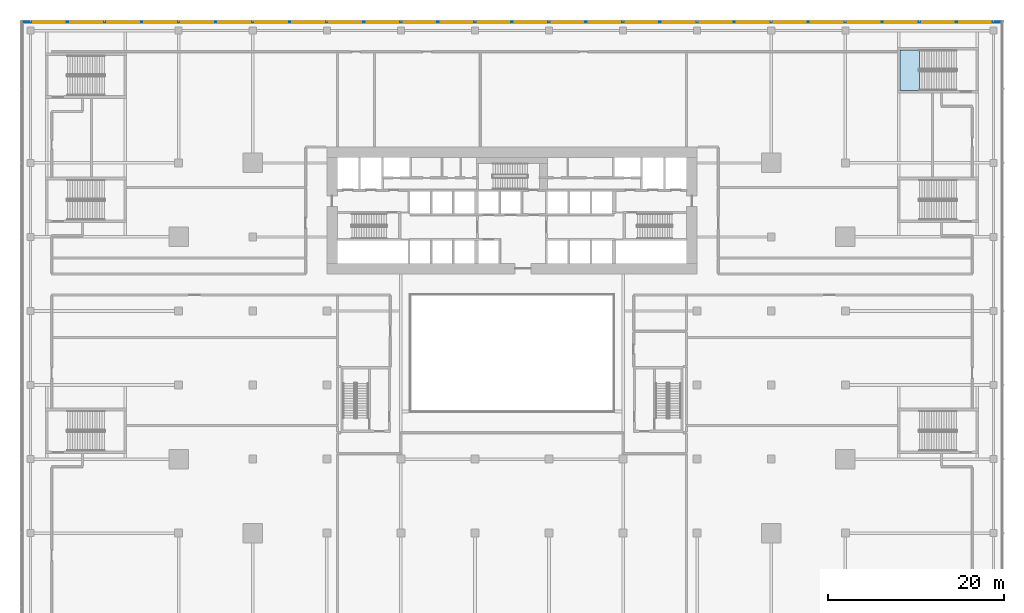
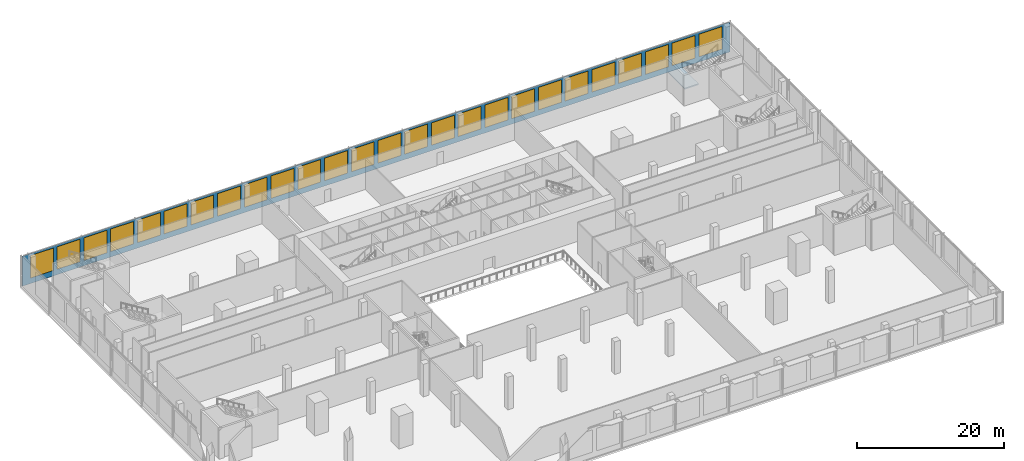
# One storey, part 25 of 39: 26 windows, 1 plate, 1 slab, 26 openings, 2 elements without a shape of their own.
"""IFC4 building model written with IfcOpenShell, lengths in metres."""

import ifcopenshell
import ifcopenshell.guid

model = None  # the IFC model being written
_history = None  # IfcOwnerHistory: only IFC2X3 demands one
_inside = {}  # id of a spatial element -> (the spatial element, [elements in it])
_under = {}  # id of a project, library or spatial element -> (it, [spatial elements below it])
_declared = {}  # id of a project -> (the project, [libraries it declares])
_typed = {}  # id of a type object -> (the type object, [elements of that type])
_made_of = {}  # id of a material, layer set ... -> (it, [elements and type objects made of it])


def new_model(schema):
    """Start an empty IFC model of exactly this schema.

    Asked for "IFC4X3", IfcOpenShell would pick the latest addendum, in which some entities
    have other attributes; the version numbers below select the first issue.
    IFC2X3 requires an IfcOwnerHistory on every rooted entity: one is made here for all.
    """
    global model, _history
    if schema == "IFC4X3":
        model = ifcopenshell.file(schema_version=(4, 3, 0, 0))
    else:
        model = ifcopenshell.file(schema=schema)
    _inside.clear()
    _under.clear()
    _declared.clear()
    _typed.clear()
    _made_of.clear()
    _history = None
    if model.schema == "IFC2X3":
        org = make("IfcOrganization", Name="unknown")
        user = make(
            "IfcPersonAndOrganization",
            ThePerson=make("IfcPerson", FamilyName="unknown"),
            TheOrganization=org,
        )
        app = make(
            "IfcApplication",
            ApplicationDeveloper=org,
            Version="unknown",
            ApplicationFullName="unknown",
            ApplicationIdentifier="unknown",
        )
        _history = make(
            "IfcOwnerHistory",
            OwningUser=user,
            OwningApplication=app,
            ChangeAction="ADDED",
            CreationDate=0,
        )
    return model


def make(cls, **values):
    """One entity of the class cls with the attributes given. An attribute that is None is left unset."""
    return model.create_entity(
        cls, **{name: value for name, value in values.items() if value is not None}
    )


def rooted(cls, **values):
    """An entity with a GlobalId (a new one), such as an element, a storey or a relation."""
    return make(cls, GlobalId=ifcopenshell.guid.new(), OwnerHistory=_history, **values)


def si_unit(unit_type, name, prefix=None):
    """IfcSIUnit, for example si_unit("LENGTHUNIT", "METRE", prefix="MILLI")."""
    return make("IfcSIUnit", UnitType=unit_type, Prefix=prefix, Name=name)


def assignment(units):
    """IfcUnitAssignment: the units of a project."""
    return None if units is None else make("IfcUnitAssignment", Units=units)


def point(xyz):
    """IfcCartesianPoint."""
    return None if xyz is None else make("IfcCartesianPoint", Coordinates=xyz)


def direction(xyz):
    """IfcDirection."""
    return None if xyz is None else make("IfcDirection", DirectionRatios=xyz)


def frame(location, z_axis=None, x_axis=None):
    """IfcAxis2Placement3D, a coordinate frame: its origin and axes. An axis left out is left unset."""
    return make(
        "IfcAxis2Placement3D",
        Location=point(location),
        Axis=direction(z_axis),
        RefDirection=direction(x_axis),
    )


def frame_2d(location, x_axis=None):
    """IfcAxis2Placement2D, a coordinate frame in the plane: its origin and x axis."""
    return make(
        "IfcAxis2Placement2D", Location=point(location), RefDirection=direction(x_axis)
    )


def origin():
    """The frame at (0, 0, 0) with its axes left unset."""
    return frame((0.0, 0.0, 0.0))


def place(relative_to, where):
    """IfcLocalPlacement: puts the frame where relative to a parent placement (None: the world)."""
    return make(
        "IfcLocalPlacement", PlacementRelTo=relative_to, RelativePlacement=where
    )


def context(
    kind, dimensions, precision=None, world=None, true_north=None, identifier=None
):
    """IfcGeometricRepresentationContext, for example the 3D "Model" context."""
    return make(
        "IfcGeometricRepresentationContext",
        ContextIdentifier=identifier,
        ContextType=kind,
        CoordinateSpaceDimension=dimensions,
        Precision=precision,
        WorldCoordinateSystem=world,
        TrueNorth=true_north,
    )


def subcontext(parent, identifier, kind, view, scale=None):
    """IfcGeometricRepresentationSubContext, for example "Body" below "Model"."""
    return make(
        "IfcGeometricRepresentationSubContext",
        ContextIdentifier=identifier,
        ContextType=kind,
        ParentContext=parent,
        TargetScale=scale,
        TargetView=view,
    )


def project(units=None, contexts=None):
    """IfcProject with its units and contexts."""
    return rooted(
        "IfcProject",
        Name="project",
        RepresentationContexts=contexts,
        UnitsInContext=assignment(units),
    )


def spatial(cls, under=None, at=None, **own):
    """A site, building, storey or space (cls), placed at a placement, below another one or the project."""
    s = rooted(cls, ObjectPlacement=at, **own)
    if under is not None:
        _under.setdefault(under.id(), (under, []))[1].append(s)
    return s


def polyline(points):
    """IfcPolyline through the points."""
    return make("IfcPolyline", Points=[point(p) for p in points])


def profile(cls, at=None, kind="AREA", **sizes):
    """A parametric profile (cls). Its sizes go by their IFC names, for example OverallWidth=200.0."""
    return make(cls, ProfileType=kind, Position=at, **sizes)


def rectangle(**sizes):
    """IfcRectangleProfileDef."""
    return profile("IfcRectangleProfileDef", **sizes)


def outline(outer, holes=None, kind="AREA"):
    """IfcArbitraryClosedProfileDef: a profile drawn as a closed curve; with holes, ...WithVoids."""
    if holes is None:
        return make("IfcArbitraryClosedProfileDef", ProfileType=kind, OuterCurve=outer)
    return make(
        "IfcArbitraryProfileDefWithVoids",
        ProfileType=kind,
        OuterCurve=outer,
        InnerCurves=holes,
    )


def extrude(swept, where, along, depth):
    """IfcExtrudedAreaSolid: the profile swept, set in the frame where, extruded along a direction by depth."""
    return make(
        "IfcExtrudedAreaSolid",
        SweptArea=swept,
        Position=where,
        ExtrudedDirection=direction(along),
        Depth=depth,
    )


def shape(context_of_items, identifier, shape_type, items):
    """IfcShapeRepresentation: the items that make up one representation, for example the "Body"."""
    return make(
        "IfcShapeRepresentation",
        ContextOfItems=context_of_items,
        RepresentationIdentifier=identifier,
        RepresentationType=shape_type,
        Items=items,
    )


def material(Name=None, Category=None):
    """IfcMaterial."""
    return make("IfcMaterial", Name=Name, Category=Category)


def layer(
    of_material, thickness, ventilated=None, Name=None, Category=None, Priority=None
):
    """IfcMaterialLayer: one layer of a wall or slab, of a material (None: an air gap)."""
    return make(
        "IfcMaterialLayer",
        Material=of_material,
        LayerThickness=thickness,
        IsVentilated=ventilated,
        Name=Name,
        Category=Category,
        Priority=Priority,
    )


def layer_set(layers, Name=None):
    """IfcMaterialLayerSet."""
    return make("IfcMaterialLayerSet", MaterialLayers=layers, LayerSetName=Name)


def made_of(thing, what):
    """Note that an element or type object is made of a material, layer set ...; save() writes the relation."""
    if what is not None:
        _made_of.setdefault(what.id(), (what, []))[1].append(thing)
    return thing


def type_object(cls, material=None, **own):
    """A type object (cls), such as IfcWallType, which elements share."""
    return made_of(rooted(cls, **own), material)


def element(
    cls,
    number,
    at=None,
    inside=None,
    cuts=None,
    type_object=None,
    material=None,
    context=None,
    identifier="Body",
    shape_type=None,
    held_by="IfcProductDefinitionShape",
    body=None,
    shapes=None,
    **own,
):
    """One element of the class cls, such as IfcWall. Its Tag is "e" and its number.

    at: its placement. inside: the storey or other place that contains it. cuts: it is an
    opening in that element (IfcRelVoidsElement). A single representation is given by context,
    identifier, shape_type and body (its items); several are given by shapes. held_by: the class
    of the entity that holds the representations. save() writes the other relations.
    """
    e = rooted(cls, Tag="e%d" % number, ObjectPlacement=at, **own)
    if body is not None:
        shapes = [shape(context, identifier, shape_type, body)]
    if shapes is not None:
        e.Representation = make(held_by, Representations=shapes)
    if inside is not None:
        _inside.setdefault(inside.id(), (inside, []))[1].append(e)
    if cuts is not None:
        rooted(
            "IfcRelVoidsElement", RelatingBuildingElement=cuts, RelatedOpeningElement=e
        )
    if type_object is not None:
        _typed.setdefault(type_object.id(), (type_object, []))[1].append(e)
    return made_of(e, material)


def fill(opening, filler):
    """IfcRelFillsElement: the door or window that sits in an opening."""
    return rooted(
        "IfcRelFillsElement",
        RelatingOpeningElement=opening,
        RelatedBuildingElement=filler,
    )


def aggregate(whole, parts):
    """IfcRelAggregates: a whole, such as a stair, and the parts it consists of."""
    return rooted("IfcRelAggregates", RelatingObject=whole, RelatedObjects=parts)


def save(model, path):
    """Write the relations noted so far, then the file.

    IfcRelAggregates (storeys below a building ...), IfcRelContainedInSpatialStructure (elements
    in a storey), IfcRelDefinesByType, IfcRelAssociatesMaterial and IfcRelDeclares: one each for
    every whole, place, type object, material and project.
    """
    for whole, parts in _under.values():
        aggregate(whole, parts)
    for where, things in _inside.values():
        rooted(
            "IfcRelContainedInSpatialStructure",
            RelatedElements=things,
            RelatingStructure=where,
        )
    for kind, things in _typed.values():
        rooted("IfcRelDefinesByType", RelatedObjects=things, RelatingType=kind)
    for what, things in _made_of.values():
        rooted("IfcRelAssociatesMaterial", RelatedObjects=things, RelatingMaterial=what)
    for by, libraries in _declared.values():
        rooted("IfcRelDeclares", RelatingContext=by, RelatedDefinitions=libraries)
    model.write(path)


model = new_model("IFC4")

# Units and contexts
model_context = context("Model", 3, precision=1e-05, world=origin(), true_north=direction((0.0, 1.0)))
body_context = subcontext(model_context, "Body", "Model", "MODEL_VIEW")
ifc_project = project(units=[si_unit("LENGTHUNIT", "METRE"), si_unit("AREAUNIT", "SQUARE_METRE"), si_unit("VOLUMEUNIT", "CUBIC_METRE"), si_unit("PLANEANGLEUNIT", "RADIAN"), si_unit("MASSUNIT", "GRAM", prefix="KILO")], contexts=[model_context])

# Site, building, storey
site_placement = place(None, origin())
site = spatial("IfcSite", under=ifc_project, at=site_placement, CompositionType="ELEMENT")
building_placement = place(site_placement, origin())
building = spatial("IfcBuilding", under=site, at=building_placement, Name="Saffron Gate Tower", CompositionType="ELEMENT")
storey_placement = place(building_placement, frame((0.0, 0.0, 9.0)))
storey = spatial("IfcBuildingStorey", under=building, at=storey_placement, Name="L01", CompositionType="ELEMENT", Elevation=9.0)

# Curtain wall, plate, openings, windows
ifc_material_1 = material(Name="Aluminium, bronze anodised", Category="aluminium")
curtain_wall_type = type_object("IfcCurtainWallType", Name="CWS5 curtain wall podium ring base", PredefinedType="NOTDEFINED", material=ifc_material_1)
curtain_wall_placement = place(storey_placement, origin())
curtain_wall = element("IfcCurtainWall", 1, at=curtain_wall_placement, inside=storey, type_object=curtain_wall_type, Name="CWS5 run 3", PredefinedType="NOTDEFINED")
ifc_material_2 = material(Name="Clear low-iron laminated glass", Category="glass")
ifc_layer_1 = layer(ifc_material_2, 0.028076171875)
ifc_layer_set_1 = layer_set([ifc_layer_1], Name="CWS5 fixed glass")
plate_type = type_object("IfcPlateType", Name="CWS5 fixed glass", PredefinedType="CURTAIN_PANEL", material=ifc_layer_set_1)
plate_placement = place(storey_placement, frame((143.172119140625, 89.785888671875, 0.0), z_axis=(0.0, 0.0, 1.0), x_axis=(-1.0, 0.0, 0.0)))
plate = element("IfcPlate", 2, at=plate_placement, type_object=plate_type, Name="CWS5 glass panel", PredefinedType="CURTAIN_PANEL", context=body_context, shape_type="SweptSolid", body=[
    extrude(rectangle(XDim=111.14404296875, YDim=0.028076171875, at=frame_2d((55.572021484375, 0.0))), origin(), (0.0, 0.0, 1.0), 4.97998046875),
])
opening_1_placement = place(plate_placement, frame((1.27197265625, 0.0, 0.89990234375)))
opening_1 = element("IfcOpeningElement", 3, at=opening_1_placement, cuts=plate, Name="Opening W6", PredefinedType="OPENING", context=body_context, shape_type="SweptSolid", body=[
    extrude(rectangle(XDim=3.60009765625, YDim=3.72998046875, at=frame_2d((1.800048828125, 1.864990234375))), frame((0.0, 0.02392578125, 0.0), z_axis=(0.0, -1.0, 0.0), x_axis=(1.0, 0.0, 0.0)), (0.0, 0.0, 1.0), 0.048095703125),
])
opening_2_placement = place(plate_placement, frame((5.471923828125, 0.0, 0.89990234375)))
opening_2 = element("IfcOpeningElement", 4, at=opening_2_placement, cuts=plate, Name="Opening W6", PredefinedType="OPENING", context=body_context, shape_type="SweptSolid", body=[
    extrude(rectangle(XDim=3.60009765625, YDim=3.72998046875, at=frame_2d((1.800048828125, 1.864990234375))), frame((0.0, 0.02392578125, 0.0), z_axis=(0.0, -1.0, 0.0), x_axis=(1.0, 0.0, 0.0)), (0.0, 0.0, 1.0), 0.048095703125),
])
opening_3_placement = place(plate_placement, frame((9.672119140625, 0.0, 0.89990234375)))
opening_3 = element("IfcOpeningElement", 5, at=opening_3_placement, cuts=plate, Name="Opening W6", PredefinedType="OPENING", context=body_context, shape_type="SweptSolid", body=[
    extrude(rectangle(XDim=3.60009765625, YDim=3.72998046875, at=frame_2d((1.800048828125, 1.864990234375))), frame((0.0, 0.02392578125, 0.0), z_axis=(0.0, -1.0, 0.0), x_axis=(1.0, 0.0, 0.0)), (0.0, 0.0, 1.0), 0.048095703125),
])
opening_4_placement = place(plate_placement, frame((13.8720703125, 0.0, 0.89990234375)))
opening_4 = element("IfcOpeningElement", 6, at=opening_4_placement, cuts=plate, Name="Opening W6", PredefinedType="OPENING", context=body_context, shape_type="SweptSolid", body=[
    extrude(rectangle(XDim=3.60009765625, YDim=3.72998046875, at=frame_2d((1.800048828125, 1.864990234375))), frame((0.0, 0.02392578125, 0.0), z_axis=(0.0, -1.0, 0.0), x_axis=(1.0, 0.0, 0.0)), (0.0, 0.0, 1.0), 0.048095703125),
])
opening_5_placement = place(plate_placement, frame((18.072021484375, 0.0, 0.89990234375)))
opening_5 = element("IfcOpeningElement", 7, at=opening_5_placement, cuts=plate, Name="Opening W6", PredefinedType="OPENING", context=body_context, shape_type="SweptSolid", body=[
    extrude(rectangle(XDim=3.60009765625, YDim=3.72998046875, at=frame_2d((1.800048828125, 1.864990234375))), frame((0.0, 0.02392578125, 0.0), z_axis=(0.0, -1.0, 0.0), x_axis=(1.0, 0.0, 0.0)), (0.0, 0.0, 1.0), 0.048095703125),
])
opening_6_placement = place(plate_placement, frame((22.27197265625, 0.0, 0.89990234375)))
opening_6 = element("IfcOpeningElement", 8, at=opening_6_placement, cuts=plate, Name="Opening W6", PredefinedType="OPENING", context=body_context, shape_type="SweptSolid", body=[
    extrude(rectangle(XDim=3.60009765625, YDim=3.72998046875, at=frame_2d((1.800048828125, 1.864990234375))), frame((0.0, 0.02392578125, 0.0), z_axis=(0.0, -1.0, 0.0), x_axis=(1.0, 0.0, 0.0)), (0.0, 0.0, 1.0), 0.048095703125),
])
opening_7_placement = place(plate_placement, frame((26.471923828125, 0.0, 0.89990234375)))
opening_7 = element("IfcOpeningElement", 9, at=opening_7_placement, cuts=plate, Name="Opening W6", PredefinedType="OPENING", context=body_context, shape_type="SweptSolid", body=[
    extrude(rectangle(XDim=3.60009765625, YDim=3.72998046875, at=frame_2d((1.800048828125, 1.864990234375))), frame((0.0, 0.02392578125, 0.0), z_axis=(0.0, -1.0, 0.0), x_axis=(1.0, 0.0, 0.0)), (0.0, 0.0, 1.0), 0.048095703125),
])
opening_8_placement = place(plate_placement, frame((30.672119140625, 0.0, 0.89990234375)))
opening_8 = element("IfcOpeningElement", 10, at=opening_8_placement, cuts=plate, Name="Opening W6", PredefinedType="OPENING", context=body_context, shape_type="SweptSolid", body=[
    extrude(rectangle(XDim=3.60009765625, YDim=3.72998046875, at=frame_2d((1.800048828125, 1.864990234375))), frame((0.0, 0.02392578125, 0.0), z_axis=(0.0, -1.0, 0.0), x_axis=(1.0, 0.0, 0.0)), (0.0, 0.0, 1.0), 0.048095703125),
])
opening_9_placement = place(plate_placement, frame((34.8720703125, 0.0, 0.89990234375)))
opening_9 = element("IfcOpeningElement", 11, at=opening_9_placement, cuts=plate, Name="Opening W6", PredefinedType="OPENING", context=body_context, shape_type="SweptSolid", body=[
    extrude(rectangle(XDim=3.60009765625, YDim=3.72998046875, at=frame_2d((1.800048828125, 1.864990234375))), frame((0.0, 0.02392578125, 0.0), z_axis=(0.0, -1.0, 0.0), x_axis=(1.0, 0.0, 0.0)), (0.0, 0.0, 1.0), 0.048095703125),
])
opening_10_placement = place(plate_placement, frame((39.072021484375, 0.0, 0.89990234375)))
opening_10 = element("IfcOpeningElement", 12, at=opening_10_placement, cuts=plate, Name="Opening W6", PredefinedType="OPENING", context=body_context, shape_type="SweptSolid", body=[
    extrude(rectangle(XDim=3.60009765625, YDim=3.72998046875, at=frame_2d((1.800048828125, 1.864990234375))), frame((0.0, 0.02392578125, 0.0), z_axis=(0.0, -1.0, 0.0), x_axis=(1.0, 0.0, 0.0)), (0.0, 0.0, 1.0), 0.048095703125),
])
opening_11_placement = place(plate_placement, frame((43.27197265625, 0.0, 0.89990234375)))
opening_11 = element("IfcOpeningElement", 13, at=opening_11_placement, cuts=plate, Name="Opening W6", PredefinedType="OPENING", context=body_context, shape_type="SweptSolid", body=[
    extrude(rectangle(XDim=3.60009765625, YDim=3.72998046875, at=frame_2d((1.800048828125, 1.864990234375))), frame((0.0, 0.02392578125, 0.0), z_axis=(0.0, -1.0, 0.0), x_axis=(1.0, 0.0, 0.0)), (0.0, 0.0, 1.0), 0.048095703125),
])
opening_12_placement = place(plate_placement, frame((47.471923828125, 0.0, 0.89990234375)))
opening_12 = element("IfcOpeningElement", 14, at=opening_12_placement, cuts=plate, Name="Opening W6", PredefinedType="OPENING", context=body_context, shape_type="SweptSolid", body=[
    extrude(rectangle(XDim=3.60009765625, YDim=3.72998046875, at=frame_2d((1.800048828125, 1.864990234375))), frame((0.0, 0.02392578125, 0.0), z_axis=(0.0, -1.0, 0.0), x_axis=(1.0, 0.0, 0.0)), (0.0, 0.0, 1.0), 0.048095703125),
])
opening_13_placement = place(plate_placement, frame((51.672119140625, 0.0, 0.89990234375)))
opening_13 = element("IfcOpeningElement", 15, at=opening_13_placement, cuts=plate, Name="Opening W6", PredefinedType="OPENING", context=body_context, shape_type="SweptSolid", body=[
    extrude(rectangle(XDim=3.60009765625, YDim=3.72998046875, at=frame_2d((1.800048828125, 1.864990234375))), frame((0.0, 0.02392578125, 0.0), z_axis=(0.0, -1.0, 0.0), x_axis=(1.0, 0.0, 0.0)), (0.0, 0.0, 1.0), 0.048095703125),
])
opening_14_placement = place(plate_placement, frame((55.8720703125, 0.0, 0.89990234375)))
opening_14 = element("IfcOpeningElement", 16, at=opening_14_placement, cuts=plate, Name="Opening W6", PredefinedType="OPENING", context=body_context, shape_type="SweptSolid", body=[
    extrude(rectangle(XDim=3.60009765625, YDim=3.72998046875, at=frame_2d((1.800048828125, 1.864990234375))), frame((0.0, 0.02392578125, 0.0), z_axis=(0.0, -1.0, 0.0), x_axis=(1.0, 0.0, 0.0)), (0.0, 0.0, 1.0), 0.048095703125),
])
opening_15_placement = place(plate_placement, frame((60.072021484375, 0.0, 0.89990234375)))
opening_15 = element("IfcOpeningElement", 17, at=opening_15_placement, cuts=plate, Name="Opening W6", PredefinedType="OPENING", context=body_context, shape_type="SweptSolid", body=[
    extrude(rectangle(XDim=3.60009765625, YDim=3.72998046875, at=frame_2d((1.800048828125, 1.864990234375))), frame((0.0, 0.02392578125, 0.0), z_axis=(0.0, -1.0, 0.0), x_axis=(1.0, 0.0, 0.0)), (0.0, 0.0, 1.0), 0.048095703125),
])
opening_16_placement = place(plate_placement, frame((64.27197265625, 0.0, 0.89990234375)))
opening_16 = element("IfcOpeningElement", 18, at=opening_16_placement, cuts=plate, Name="Opening W6", PredefinedType="OPENING", context=body_context, shape_type="SweptSolid", body=[
    extrude(rectangle(XDim=3.60009765625, YDim=3.72998046875, at=frame_2d((1.800048828125, 1.864990234375))), frame((0.0, 0.02392578125, 0.0), z_axis=(0.0, -1.0, 0.0), x_axis=(1.0, 0.0, 0.0)), (0.0, 0.0, 1.0), 0.048095703125),
])
opening_17_placement = place(plate_placement, frame((68.471923828125, 0.0, 0.89990234375)))
opening_17 = element("IfcOpeningElement", 19, at=opening_17_placement, cuts=plate, Name="Opening W6", PredefinedType="OPENING", context=body_context, shape_type="SweptSolid", body=[
    extrude(rectangle(XDim=3.60009765625, YDim=3.72998046875, at=frame_2d((1.800048828125, 1.864990234375))), frame((0.0, 0.02392578125, 0.0), z_axis=(0.0, -1.0, 0.0), x_axis=(1.0, 0.0, 0.0)), (0.0, 0.0, 1.0), 0.048095703125),
])
opening_18_placement = place(plate_placement, frame((72.672119140625, 0.0, 0.89990234375)))
opening_18 = element("IfcOpeningElement", 20, at=opening_18_placement, cuts=plate, Name="Opening W6", PredefinedType="OPENING", context=body_context, shape_type="SweptSolid", body=[
    extrude(rectangle(XDim=3.60009765625, YDim=3.72998046875, at=frame_2d((1.800048828125, 1.864990234375))), frame((0.0, 0.02392578125, 0.0), z_axis=(0.0, -1.0, 0.0), x_axis=(1.0, 0.0, 0.0)), (0.0, 0.0, 1.0), 0.048095703125),
])
opening_19_placement = place(plate_placement, frame((76.8720703125, 0.0, 0.89990234375)))
opening_19 = element("IfcOpeningElement", 21, at=opening_19_placement, cuts=plate, Name="Opening W6", PredefinedType="OPENING", context=body_context, shape_type="SweptSolid", body=[
    extrude(rectangle(XDim=3.60009765625, YDim=3.72998046875, at=frame_2d((1.800048828125, 1.864990234375))), frame((0.0, 0.02392578125, 0.0), z_axis=(0.0, -1.0, 0.0), x_axis=(1.0, 0.0, 0.0)), (0.0, 0.0, 1.0), 0.048095703125),
])
opening_20_placement = place(plate_placement, frame((81.072021484375, 0.0, 0.89990234375)))
opening_20 = element("IfcOpeningElement", 22, at=opening_20_placement, cuts=plate, Name="Opening W6", PredefinedType="OPENING", context=body_context, shape_type="SweptSolid", body=[
    extrude(rectangle(XDim=3.60009765625, YDim=3.72998046875, at=frame_2d((1.800048828125, 1.864990234375))), frame((0.0, 0.02392578125, 0.0), z_axis=(0.0, -1.0, 0.0), x_axis=(1.0, 0.0, 0.0)), (0.0, 0.0, 1.0), 0.048095703125),
])
opening_21_placement = place(plate_placement, frame((85.27197265625, 0.0, 0.89990234375)))
opening_21 = element("IfcOpeningElement", 23, at=opening_21_placement, cuts=plate, Name="Opening W6", PredefinedType="OPENING", context=body_context, shape_type="SweptSolid", body=[
    extrude(rectangle(XDim=3.60009765625, YDim=3.72998046875, at=frame_2d((1.800048828125, 1.864990234375))), frame((0.0, 0.02392578125, 0.0), z_axis=(0.0, -1.0, 0.0), x_axis=(1.0, 0.0, 0.0)), (0.0, 0.0, 1.0), 0.048095703125),
])
opening_22_placement = place(plate_placement, frame((89.471923828125, 0.0, 0.89990234375)))
opening_22 = element("IfcOpeningElement", 24, at=opening_22_placement, cuts=plate, Name="Opening W6", PredefinedType="OPENING", context=body_context, shape_type="SweptSolid", body=[
    extrude(rectangle(XDim=3.60009765625, YDim=3.72998046875, at=frame_2d((1.800048828125, 1.864990234375))), frame((0.0, 0.02392578125, 0.0), z_axis=(0.0, -1.0, 0.0), x_axis=(1.0, 0.0, 0.0)), (0.0, 0.0, 1.0), 0.048095703125),
])
opening_23_placement = place(plate_placement, frame((93.672119140625, 0.0, 0.89990234375)))
opening_23 = element("IfcOpeningElement", 25, at=opening_23_placement, cuts=plate, Name="Opening W6", PredefinedType="OPENING", context=body_context, shape_type="SweptSolid", body=[
    extrude(rectangle(XDim=3.60009765625, YDim=3.72998046875, at=frame_2d((1.800048828125, 1.864990234375))), frame((0.0, 0.02392578125, 0.0), z_axis=(0.0, -1.0, 0.0), x_axis=(1.0, 0.0, 0.0)), (0.0, 0.0, 1.0), 0.048095703125),
])
opening_24_placement = place(plate_placement, frame((97.8720703125, 0.0, 0.89990234375)))
opening_24 = element("IfcOpeningElement", 26, at=opening_24_placement, cuts=plate, Name="Opening W6", PredefinedType="OPENING", context=body_context, shape_type="SweptSolid", body=[
    extrude(rectangle(XDim=3.60009765625, YDim=3.72998046875, at=frame_2d((1.800048828125, 1.864990234375))), frame((0.0, 0.02392578125, 0.0), z_axis=(0.0, -1.0, 0.0), x_axis=(1.0, 0.0, 0.0)), (0.0, 0.0, 1.0), 0.048095703125),
])
opening_25_placement = place(plate_placement, frame((102.072021484375, 0.0, 0.89990234375)))
opening_25 = element("IfcOpeningElement", 27, at=opening_25_placement, cuts=plate, Name="Opening W6", PredefinedType="OPENING", context=body_context, shape_type="SweptSolid", body=[
    extrude(rectangle(XDim=3.60009765625, YDim=3.72998046875, at=frame_2d((1.800048828125, 1.864990234375))), frame((0.0, 0.02392578125, 0.0), z_axis=(0.0, -1.0, 0.0), x_axis=(1.0, 0.0, 0.0)), (0.0, 0.0, 1.0), 0.048095703125),
])
opening_26_placement = place(plate_placement, frame((106.27197265625, 0.0, 0.89990234375)))
opening_26 = element("IfcOpeningElement", 28, at=opening_26_placement, cuts=plate, Name="Opening W6", PredefinedType="OPENING", context=body_context, shape_type="SweptSolid", body=[
    extrude(rectangle(XDim=3.60009765625, YDim=3.72998046875, at=frame_2d((1.800048828125, 1.864990234375))), frame((0.0, 0.02392578125, 0.0), z_axis=(0.0, -1.0, 0.0), x_axis=(1.0, 0.0, 0.0)), (0.0, 0.0, 1.0), 0.048095703125),
])
ifc_material_3 = material(Name="Fritted bronze-tinted laminated glass in bronze frame", Category="glass")
ifc_layer_2 = layer(ifc_material_3, 0.06005859375)
ifc_layer_set_2 = layer_set([ifc_layer_2], Name="W6 operable panel 3600x3730")
window_type = type_object("IfcWindowType", Name="W6 operable panel 3600x3730", PartitioningType="DOUBLE_PANEL_HORIZONTAL", PredefinedType="WINDOW", material=ifc_layer_set_2)
window_1_placement = place(opening_1_placement, origin())
window_1 = element("IfcWindow", 29, at=window_1_placement, type_object=window_type, Name="W6 operable panel", OverallHeight=3.72998046875, OverallWidth=3.60009765625, PartitioningType="SINGLE_PANEL", PredefinedType="WINDOW", context=body_context, shape_type="SweptSolid", body=[
    extrude(rectangle(XDim=3.60009765625, YDim=3.72998046875, at=frame_2d((1.800048828125, 1.864990234375))), frame((0.0, 0.013671875, 0.0), z_axis=(0.0, -1.0, 0.0), x_axis=(1.0, 0.0, 0.0)), (0.0, 0.0, 1.0), 0.027587890625),
])
fill(opening_1, window_1)
window_2_placement = place(opening_2_placement, origin())
window_2 = element("IfcWindow", 30, at=window_2_placement, type_object=window_type, Name="W6 operable panel", OverallHeight=3.72998046875, OverallWidth=3.60009765625, PartitioningType="SINGLE_PANEL", PredefinedType="WINDOW", context=body_context, shape_type="SweptSolid", body=[
    extrude(rectangle(XDim=3.60009765625, YDim=3.72998046875, at=frame_2d((1.800048828125, 1.864990234375))), frame((0.0, 0.013671875, 0.0), z_axis=(0.0, -1.0, 0.0), x_axis=(1.0, 0.0, 0.0)), (0.0, 0.0, 1.0), 0.027587890625),
])
fill(opening_2, window_2)
window_3_placement = place(opening_3_placement, origin())
window_3 = element("IfcWindow", 31, at=window_3_placement, type_object=window_type, Name="W6 operable panel", OverallHeight=3.72998046875, OverallWidth=3.60009765625, PartitioningType="SINGLE_PANEL", PredefinedType="WINDOW", context=body_context, shape_type="SweptSolid", body=[
    extrude(rectangle(XDim=3.60009765625, YDim=3.72998046875, at=frame_2d((1.800048828125, 1.864990234375))), frame((0.0, 0.013671875, 0.0), z_axis=(0.0, -1.0, 0.0), x_axis=(1.0, 0.0, 0.0)), (0.0, 0.0, 1.0), 0.027587890625),
])
fill(opening_3, window_3)
window_4_placement = place(opening_4_placement, origin())
window_4 = element("IfcWindow", 32, at=window_4_placement, type_object=window_type, Name="W6 operable panel", OverallHeight=3.72998046875, OverallWidth=3.60009765625, PartitioningType="SINGLE_PANEL", PredefinedType="WINDOW", context=body_context, shape_type="SweptSolid", body=[
    extrude(rectangle(XDim=3.60009765625, YDim=3.72998046875, at=frame_2d((1.800048828125, 1.864990234375))), frame((0.0, 0.013671875, 0.0), z_axis=(0.0, -1.0, 0.0), x_axis=(1.0, 0.0, 0.0)), (0.0, 0.0, 1.0), 0.027587890625),
])
fill(opening_4, window_4)
window_5_placement = place(opening_5_placement, origin())
window_5 = element("IfcWindow", 33, at=window_5_placement, type_object=window_type, Name="W6 operable panel", OverallHeight=3.72998046875, OverallWidth=3.60009765625, PartitioningType="SINGLE_PANEL", PredefinedType="WINDOW", context=body_context, shape_type="SweptSolid", body=[
    extrude(rectangle(XDim=3.60009765625, YDim=3.72998046875, at=frame_2d((1.800048828125, 1.864990234375))), frame((0.0, 0.013671875, 0.0), z_axis=(0.0, -1.0, 0.0), x_axis=(1.0, 0.0, 0.0)), (0.0, 0.0, 1.0), 0.027587890625),
])
fill(opening_5, window_5)
window_6_placement = place(opening_6_placement, origin())
window_6 = element("IfcWindow", 34, at=window_6_placement, type_object=window_type, Name="W6 operable panel", OverallHeight=3.72998046875, OverallWidth=3.60009765625, PartitioningType="SINGLE_PANEL", PredefinedType="WINDOW", context=body_context, shape_type="SweptSolid", body=[
    extrude(rectangle(XDim=3.60009765625, YDim=3.72998046875, at=frame_2d((1.800048828125, 1.864990234375))), frame((0.0, 0.013671875, 0.0), z_axis=(0.0, -1.0, 0.0), x_axis=(1.0, 0.0, 0.0)), (0.0, 0.0, 1.0), 0.027587890625),
])
fill(opening_6, window_6)
window_7_placement = place(opening_7_placement, origin())
window_7 = element("IfcWindow", 35, at=window_7_placement, type_object=window_type, Name="W6 operable panel", OverallHeight=3.72998046875, OverallWidth=3.60009765625, PartitioningType="SINGLE_PANEL", PredefinedType="WINDOW", context=body_context, shape_type="SweptSolid", body=[
    extrude(rectangle(XDim=3.60009765625, YDim=3.72998046875, at=frame_2d((1.800048828125, 1.864990234375))), frame((0.0, 0.013671875, 0.0), z_axis=(0.0, -1.0, 0.0), x_axis=(1.0, 0.0, 0.0)), (0.0, 0.0, 1.0), 0.027587890625),
])
fill(opening_7, window_7)
window_8_placement = place(opening_8_placement, origin())
window_8 = element("IfcWindow", 36, at=window_8_placement, type_object=window_type, Name="W6 operable panel", OverallHeight=3.72998046875, OverallWidth=3.60009765625, PartitioningType="SINGLE_PANEL", PredefinedType="WINDOW", context=body_context, shape_type="SweptSolid", body=[
    extrude(rectangle(XDim=3.60009765625, YDim=3.72998046875, at=frame_2d((1.800048828125, 1.864990234375))), frame((0.0, 0.013671875, 0.0), z_axis=(0.0, -1.0, 0.0), x_axis=(1.0, 0.0, 0.0)), (0.0, 0.0, 1.0), 0.027587890625),
])
fill(opening_8, window_8)
window_9_placement = place(opening_9_placement, origin())
window_9 = element("IfcWindow", 37, at=window_9_placement, type_object=window_type, Name="W6 operable panel", OverallHeight=3.72998046875, OverallWidth=3.60009765625, PartitioningType="SINGLE_PANEL", PredefinedType="WINDOW", context=body_context, shape_type="SweptSolid", body=[
    extrude(rectangle(XDim=3.60009765625, YDim=3.72998046875, at=frame_2d((1.800048828125, 1.864990234375))), frame((0.0, 0.013671875, 0.0), z_axis=(0.0, -1.0, 0.0), x_axis=(1.0, 0.0, 0.0)), (0.0, 0.0, 1.0), 0.027587890625),
])
fill(opening_9, window_9)
window_10_placement = place(opening_10_placement, origin())
window_10 = element("IfcWindow", 38, at=window_10_placement, type_object=window_type, Name="W6 operable panel", OverallHeight=3.72998046875, OverallWidth=3.60009765625, PartitioningType="SINGLE_PANEL", PredefinedType="WINDOW", context=body_context, shape_type="SweptSolid", body=[
    extrude(rectangle(XDim=3.60009765625, YDim=3.72998046875, at=frame_2d((1.800048828125, 1.864990234375))), frame((0.0, 0.013671875, 0.0), z_axis=(0.0, -1.0, 0.0), x_axis=(1.0, 0.0, 0.0)), (0.0, 0.0, 1.0), 0.027587890625),
])
fill(opening_10, window_10)
window_11_placement = place(opening_11_placement, origin())
window_11 = element("IfcWindow", 39, at=window_11_placement, type_object=window_type, Name="W6 operable panel", OverallHeight=3.72998046875, OverallWidth=3.60009765625, PartitioningType="SINGLE_PANEL", PredefinedType="WINDOW", context=body_context, shape_type="SweptSolid", body=[
    extrude(rectangle(XDim=3.60009765625, YDim=3.72998046875, at=frame_2d((1.800048828125, 1.864990234375))), frame((0.0, 0.013671875, 0.0), z_axis=(0.0, -1.0, 0.0), x_axis=(1.0, 0.0, 0.0)), (0.0, 0.0, 1.0), 0.027587890625),
])
fill(opening_11, window_11)
window_12_placement = place(opening_12_placement, origin())
window_12 = element("IfcWindow", 40, at=window_12_placement, type_object=window_type, Name="W6 operable panel", OverallHeight=3.72998046875, OverallWidth=3.60009765625, PartitioningType="SINGLE_PANEL", PredefinedType="WINDOW", context=body_context, shape_type="SweptSolid", body=[
    extrude(rectangle(XDim=3.60009765625, YDim=3.72998046875, at=frame_2d((1.800048828125, 1.864990234375))), frame((0.0, 0.013671875, 0.0), z_axis=(0.0, -1.0, 0.0), x_axis=(1.0, 0.0, 0.0)), (0.0, 0.0, 1.0), 0.027587890625),
])
fill(opening_12, window_12)
window_13_placement = place(opening_13_placement, origin())
window_13 = element("IfcWindow", 41, at=window_13_placement, type_object=window_type, Name="W6 operable panel", OverallHeight=3.72998046875, OverallWidth=3.60009765625, PartitioningType="SINGLE_PANEL", PredefinedType="WINDOW", context=body_context, shape_type="SweptSolid", body=[
    extrude(rectangle(XDim=3.60009765625, YDim=3.72998046875, at=frame_2d((1.800048828125, 1.864990234375))), frame((0.0, 0.013671875, 0.0), z_axis=(0.0, -1.0, 0.0), x_axis=(1.0, 0.0, 0.0)), (0.0, 0.0, 1.0), 0.027587890625),
])
fill(opening_13, window_13)
window_14_placement = place(opening_14_placement, origin())
window_14 = element("IfcWindow", 42, at=window_14_placement, type_object=window_type, Name="W6 operable panel", OverallHeight=3.72998046875, OverallWidth=3.60009765625, PartitioningType="SINGLE_PANEL", PredefinedType="WINDOW", context=body_context, shape_type="SweptSolid", body=[
    extrude(rectangle(XDim=3.60009765625, YDim=3.72998046875, at=frame_2d((1.800048828125, 1.864990234375))), frame((0.0, 0.013671875, 0.0), z_axis=(0.0, -1.0, 0.0), x_axis=(1.0, 0.0, 0.0)), (0.0, 0.0, 1.0), 0.027587890625),
])
fill(opening_14, window_14)
window_15_placement = place(opening_15_placement, origin())
window_15 = element("IfcWindow", 43, at=window_15_placement, type_object=window_type, Name="W6 operable panel", OverallHeight=3.72998046875, OverallWidth=3.60009765625, PartitioningType="SINGLE_PANEL", PredefinedType="WINDOW", context=body_context, shape_type="SweptSolid", body=[
    extrude(rectangle(XDim=3.60009765625, YDim=3.72998046875, at=frame_2d((1.800048828125, 1.864990234375))), frame((0.0, 0.013671875, 0.0), z_axis=(0.0, -1.0, 0.0), x_axis=(1.0, 0.0, 0.0)), (0.0, 0.0, 1.0), 0.027587890625),
])
fill(opening_15, window_15)
window_16_placement = place(opening_16_placement, origin())
window_16 = element("IfcWindow", 44, at=window_16_placement, type_object=window_type, Name="W6 operable panel", OverallHeight=3.72998046875, OverallWidth=3.60009765625, PartitioningType="SINGLE_PANEL", PredefinedType="WINDOW", context=body_context, shape_type="SweptSolid", body=[
    extrude(rectangle(XDim=3.60009765625, YDim=3.72998046875, at=frame_2d((1.800048828125, 1.864990234375))), frame((0.0, 0.013671875, 0.0), z_axis=(0.0, -1.0, 0.0), x_axis=(1.0, 0.0, 0.0)), (0.0, 0.0, 1.0), 0.027587890625),
])
fill(opening_16, window_16)
window_17_placement = place(opening_17_placement, origin())
window_17 = element("IfcWindow", 45, at=window_17_placement, type_object=window_type, Name="W6 operable panel", OverallHeight=3.72998046875, OverallWidth=3.60009765625, PartitioningType="SINGLE_PANEL", PredefinedType="WINDOW", context=body_context, shape_type="SweptSolid", body=[
    extrude(rectangle(XDim=3.60009765625, YDim=3.72998046875, at=frame_2d((1.800048828125, 1.864990234375))), frame((0.0, 0.013671875, 0.0), z_axis=(0.0, -1.0, 0.0), x_axis=(1.0, 0.0, 0.0)), (0.0, 0.0, 1.0), 0.027587890625),
])
fill(opening_17, window_17)
window_18_placement = place(opening_18_placement, origin())
window_18 = element("IfcWindow", 46, at=window_18_placement, type_object=window_type, Name="W6 operable panel", OverallHeight=3.72998046875, OverallWidth=3.60009765625, PartitioningType="SINGLE_PANEL", PredefinedType="WINDOW", context=body_context, shape_type="SweptSolid", body=[
    extrude(rectangle(XDim=3.60009765625, YDim=3.72998046875, at=frame_2d((1.800048828125, 1.864990234375))), frame((0.0, 0.013671875, 0.0), z_axis=(0.0, -1.0, 0.0), x_axis=(1.0, 0.0, 0.0)), (0.0, 0.0, 1.0), 0.027587890625),
])
fill(opening_18, window_18)
window_19_placement = place(opening_19_placement, origin())
window_19 = element("IfcWindow", 47, at=window_19_placement, type_object=window_type, Name="W6 operable panel", OverallHeight=3.72998046875, OverallWidth=3.60009765625, PartitioningType="SINGLE_PANEL", PredefinedType="WINDOW", context=body_context, shape_type="SweptSolid", body=[
    extrude(rectangle(XDim=3.60009765625, YDim=3.72998046875, at=frame_2d((1.800048828125, 1.864990234375))), frame((0.0, 0.013671875, 0.0), z_axis=(0.0, -1.0, 0.0), x_axis=(1.0, 0.0, 0.0)), (0.0, 0.0, 1.0), 0.027587890625),
])
fill(opening_19, window_19)
window_20_placement = place(opening_20_placement, origin())
window_20 = element("IfcWindow", 48, at=window_20_placement, type_object=window_type, Name="W6 operable panel", OverallHeight=3.72998046875, OverallWidth=3.60009765625, PartitioningType="SINGLE_PANEL", PredefinedType="WINDOW", context=body_context, shape_type="SweptSolid", body=[
    extrude(rectangle(XDim=3.60009765625, YDim=3.72998046875, at=frame_2d((1.800048828125, 1.864990234375))), frame((0.0, 0.013671875, 0.0), z_axis=(0.0, -1.0, 0.0), x_axis=(1.0, 0.0, 0.0)), (0.0, 0.0, 1.0), 0.027587890625),
])
fill(opening_20, window_20)
window_21_placement = place(opening_21_placement, origin())
window_21 = element("IfcWindow", 49, at=window_21_placement, type_object=window_type, Name="W6 operable panel", OverallHeight=3.72998046875, OverallWidth=3.60009765625, PartitioningType="SINGLE_PANEL", PredefinedType="WINDOW", context=body_context, shape_type="SweptSolid", body=[
    extrude(rectangle(XDim=3.60009765625, YDim=3.72998046875, at=frame_2d((1.800048828125, 1.864990234375))), frame((0.0, 0.013671875, 0.0), z_axis=(0.0, -1.0, 0.0), x_axis=(1.0, 0.0, 0.0)), (0.0, 0.0, 1.0), 0.027587890625),
])
fill(opening_21, window_21)
window_22_placement = place(opening_22_placement, origin())
window_22 = element("IfcWindow", 50, at=window_22_placement, type_object=window_type, Name="W6 operable panel", OverallHeight=3.72998046875, OverallWidth=3.60009765625, PartitioningType="SINGLE_PANEL", PredefinedType="WINDOW", context=body_context, shape_type="SweptSolid", body=[
    extrude(rectangle(XDim=3.60009765625, YDim=3.72998046875, at=frame_2d((1.800048828125, 1.864990234375))), frame((0.0, 0.013671875, 0.0), z_axis=(0.0, -1.0, 0.0), x_axis=(1.0, 0.0, 0.0)), (0.0, 0.0, 1.0), 0.027587890625),
])
fill(opening_22, window_22)
window_23_placement = place(opening_23_placement, origin())
window_23 = element("IfcWindow", 51, at=window_23_placement, type_object=window_type, Name="W6 operable panel", OverallHeight=3.72998046875, OverallWidth=3.60009765625, PartitioningType="SINGLE_PANEL", PredefinedType="WINDOW", context=body_context, shape_type="SweptSolid", body=[
    extrude(rectangle(XDim=3.60009765625, YDim=3.72998046875, at=frame_2d((1.800048828125, 1.864990234375))), frame((0.0, 0.013671875, 0.0), z_axis=(0.0, -1.0, 0.0), x_axis=(1.0, 0.0, 0.0)), (0.0, 0.0, 1.0), 0.027587890625),
])
fill(opening_23, window_23)
window_24_placement = place(opening_24_placement, origin())
window_24 = element("IfcWindow", 52, at=window_24_placement, type_object=window_type, Name="W6 operable panel", OverallHeight=3.72998046875, OverallWidth=3.60009765625, PartitioningType="SINGLE_PANEL", PredefinedType="WINDOW", context=body_context, shape_type="SweptSolid", body=[
    extrude(rectangle(XDim=3.60009765625, YDim=3.72998046875, at=frame_2d((1.800048828125, 1.864990234375))), frame((0.0, 0.013671875, 0.0), z_axis=(0.0, -1.0, 0.0), x_axis=(1.0, 0.0, 0.0)), (0.0, 0.0, 1.0), 0.027587890625),
])
fill(opening_24, window_24)
window_25_placement = place(opening_25_placement, origin())
window_25 = element("IfcWindow", 53, at=window_25_placement, type_object=window_type, Name="W6 operable panel", OverallHeight=3.72998046875, OverallWidth=3.60009765625, PartitioningType="SINGLE_PANEL", PredefinedType="WINDOW", context=body_context, shape_type="SweptSolid", body=[
    extrude(rectangle(XDim=3.60009765625, YDim=3.72998046875, at=frame_2d((1.800048828125, 1.864990234375))), frame((0.0, 0.013671875, 0.0), z_axis=(0.0, -1.0, 0.0), x_axis=(1.0, 0.0, 0.0)), (0.0, 0.0, 1.0), 0.027587890625),
])
fill(opening_25, window_25)
window_26_placement = place(opening_26_placement, origin())
window_26 = element("IfcWindow", 54, at=window_26_placement, type_object=window_type, Name="W6 operable panel", OverallHeight=3.72998046875, OverallWidth=3.60009765625, PartitioningType="SINGLE_PANEL", PredefinedType="WINDOW", context=body_context, shape_type="SweptSolid", body=[
    extrude(rectangle(XDim=3.60009765625, YDim=3.72998046875, at=frame_2d((1.800048828125, 1.864990234375))), frame((0.0, 0.013671875, 0.0), z_axis=(0.0, -1.0, 0.0), x_axis=(1.0, 0.0, 0.0)), (0.0, 0.0, 1.0), 0.027587890625),
])
fill(opening_26, window_26)
aggregate(curtain_wall, [plate, window_1, window_2, window_3, window_4, window_5, window_6, window_7, window_8, window_9, window_10, window_11, window_12, window_13, window_14, window_15, window_16, window_17, window_18, window_19, window_20, window_21, window_22, window_23, window_24, window_25, window_26])

# Stair, slab
ifc_material_4 = material(Name="Concrete C40", Category="concrete")
stair_type = type_object("IfcStairType", Name="ST10 Stair 2200 wide, 32 risers of 169", PredefinedType="HALF_TURN_STAIR", material=ifc_material_4)
stair_placement = place(storey_placement, origin())
stair = element("IfcStair", 55, at=stair_placement, inside=storey, type_object=stair_type, Name="L01 Exit stair I", PredefinedType="HALF_TURN_STAIR")
ifc_layer_3 = layer(ifc_material_4, 0.199951171875)
ifc_layer_set_3 = layer_set([ifc_layer_3], Name="SL1 Stair landing 200")
slab_type = type_object("IfcSlabType", Name="SL1 Stair landing 200", PredefinedType="LANDING", material=ifc_layer_set_3)
slab_placement = place(storey_placement, frame((0.0, 0.0, 2.5)))
slab = element("IfcSlab", 56, at=slab_placement, type_object=slab_type, Name="ST-I landing 1", PredefinedType="LANDING", context=body_context, shape_type="SweptSolid", body=[
    extrude(outline(polyline([(133.800048828125, 86.574951171875), (131.60009765625, 86.574951171875), (131.60009765625, 82.02490234375), (133.800048828125, 82.02490234375), (133.800048828125, 86.574951171875)])), origin(), (0.0, 0.0, 1.0), 0.199951171875),
])
aggregate(stair, [slab])

save(model, "model.ifc")
